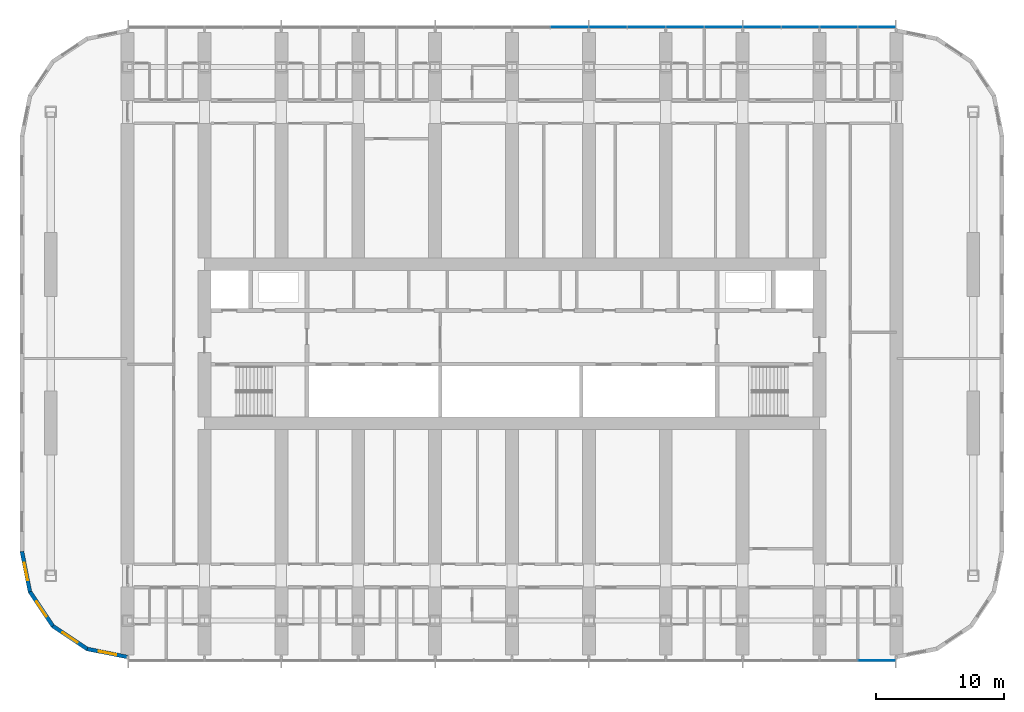
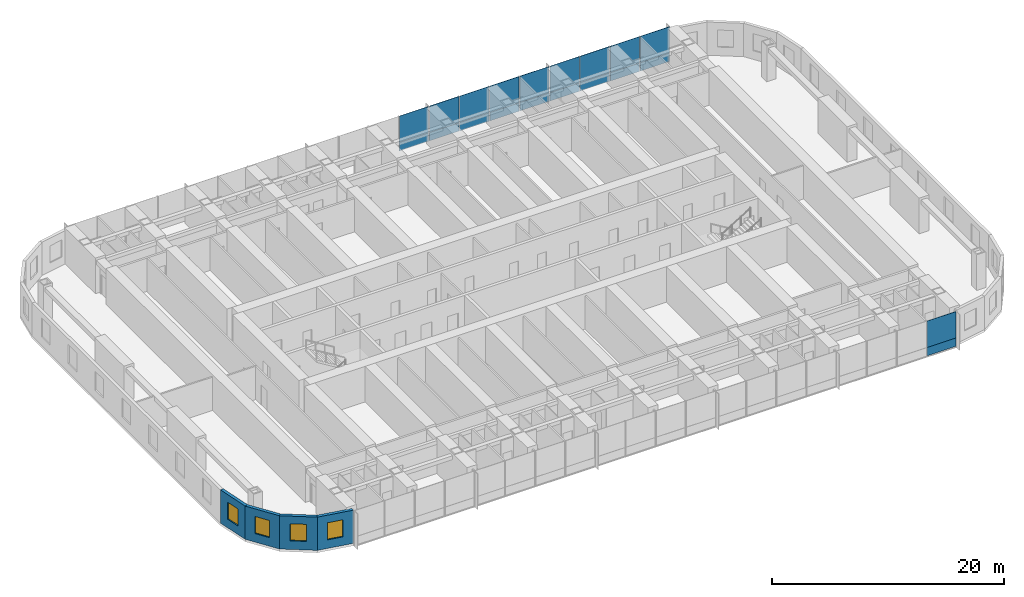
# One storey, part 9 of 23: 20 plates, 4 walls, 4 windows, 4 openings, 2 elements without a shape of their own.
"""IFC4 building model written with IfcOpenShell, lengths in metres."""

from ifc_helpers import new_model, si_unit, direction, frame, frame_2d, origin, origin_2d, place, context, subcontext, project, spatial, polyline, rectangle, outline, extrude, material, layer, layer_set, type_object, element, fill, aggregate, save


model = new_model("IFC4")

# Units and contexts
model_context = context("Model", 3, precision=1e-05, world=origin(), true_north=direction((0.0, 1.0)))
body_context = subcontext(model_context, "Body", "Model", "MODEL_VIEW")
ifc_project = project(units=[si_unit("LENGTHUNIT", "METRE"), si_unit("AREAUNIT", "SQUARE_METRE"), si_unit("VOLUMEUNIT", "CUBIC_METRE"), si_unit("PLANEANGLEUNIT", "RADIAN"), si_unit("MASSUNIT", "GRAM", prefix="KILO")], contexts=[model_context])

# Site, building, storey
site_placement = place(None, origin())
site = spatial("IfcSite", under=ifc_project, at=site_placement, CompositionType="ELEMENT")
building_placement = place(site_placement, origin())
building = spatial("IfcBuilding", under=site, at=building_placement, Name="Orbita Commons", CompositionType="ELEMENT")
storey_placement = place(building_placement, frame((0.0, 0.0, 46.449951171875)))
storey = spatial("IfcBuildingStorey", under=building, at=storey_placement, Name="L11", CompositionType="ELEMENT", Elevation=46.449951171875)

# Curtain wall, plate
ifc_material_1 = material(Name="Anodised aluminium frame, pale silver", Category="aluminium")
curtain_wall_type = type_object("IfcCurtainWallType", Name="Unitised curtain wall CW-T, vision and spandrel", PredefinedType="NOTDEFINED", material=ifc_material_1)
curtain_wall_1_placement = place(storey_placement, origin())
curtain_wall_1 = element("IfcCurtainWall", 1, at=curtain_wall_1_placement, inside=storey, type_object=curtain_wall_type, Name="Curtain wall south L11", PredefinedType="NOTDEFINED")
ifc_material_2 = material(Name="Anodised aluminium sheet on mineral wool", Category="aluminium")
ifc_layer_1 = layer(ifc_material_2, 0.050048828125)
ifc_layer_set_1 = layer_set([ifc_layer_1], Name="Anodised aluminium sheet on mineral wool")
plate_type_1 = type_object("IfcPlateType", Name="Spandrel panel, pale aluminium over insulation 50", PredefinedType="CURTAIN_PANEL", material=ifc_layer_set_1)
plate_1_placement = place(storey_placement, frame((70.47998046875, 7.2900390625, -0.14990234375), z_axis=(0.0, 0.0, 1.0), x_axis=(1.0, 0.0, 0.0)))
plate_1 = element("IfcPlate", 2, at=plate_1_placement, type_object=plate_type_1, Name="Panel 20.1 CW-L11-S", PredefinedType="CURTAIN_PANEL", context=body_context, shape_type="SweptSolid", body=[
    extrude(rectangle(XDim=2.8798828125, YDim=0.050048828125, at=origin_2d()), origin(), (0.0, 0.0, 1.0), 0.875),
])

# Curtain wall, plates
curtain_wall_2_placement = place(storey_placement, origin())
curtain_wall_2 = element("IfcCurtainWall", 3, at=curtain_wall_2_placement, inside=storey, type_object=curtain_wall_type, Name="Curtain wall north L11", PredefinedType="NOTDEFINED")
plate_2_placement = place(storey_placement, frame((70.47998046875, 56.7099609375, -0.14990234375), z_axis=(0.0, 0.0, 1.0), x_axis=(-1.0, 0.0, 0.0)))
plate_2 = element("IfcPlate", 4, at=plate_2_placement, type_object=plate_type_1, Name="Panel 1.1 CW-L11-N", PredefinedType="CURTAIN_PANEL", context=body_context, shape_type="SweptSolid", body=[
    extrude(rectangle(XDim=2.8798828125, YDim=0.050048828125, at=origin_2d()), origin(), (0.0, 0.0, 1.0), 0.875),
])
plate_3_placement = place(storey_placement, frame((67.5, 56.7099609375, -0.14990234375), z_axis=(0.0, 0.0, 1.0), x_axis=(-1.0, 0.0, 0.0)))
plate_3 = element("IfcPlate", 5, at=plate_3_placement, type_object=plate_type_1, Name="Panel 2.1 CW-L11-N", PredefinedType="CURTAIN_PANEL", context=body_context, shape_type="SweptSolid", body=[
    extrude(rectangle(XDim=2.919921875, YDim=0.050048828125, at=origin_2d()), origin(), (0.0, 0.0, 1.0), 0.875),
])
plate_4_placement = place(storey_placement, frame((64.5, 56.7099609375, -0.14990234375), z_axis=(0.0, 0.0, 1.0), x_axis=(-1.0, 0.0, 0.0)))
plate_4 = element("IfcPlate", 6, at=plate_4_placement, type_object=plate_type_1, Name="Panel 3.1 CW-L11-N", PredefinedType="CURTAIN_PANEL", context=body_context, shape_type="SweptSolid", body=[
    extrude(rectangle(XDim=2.919921875, YDim=0.050048828125, at=origin_2d()), origin(), (0.0, 0.0, 1.0), 0.875),
])
plate_5_placement = place(storey_placement, frame((61.5, 56.7099609375, -0.14990234375), z_axis=(0.0, 0.0, 1.0), x_axis=(-1.0, 0.0, 0.0)))
plate_5 = element("IfcPlate", 7, at=plate_5_placement, type_object=plate_type_1, Name="Panel 4.1 CW-L11-N", PredefinedType="CURTAIN_PANEL", context=body_context, shape_type="SweptSolid", body=[
    extrude(rectangle(XDim=2.919921875, YDim=0.050048828125, at=origin_2d()), origin(), (0.0, 0.0, 1.0), 0.875),
])
plate_6_placement = place(storey_placement, frame((58.5, 56.7099609375, -0.14990234375), z_axis=(0.0, 0.0, 1.0), x_axis=(-1.0, 0.0, 0.0)))
plate_6 = element("IfcPlate", 8, at=plate_6_placement, type_object=plate_type_1, Name="Panel 5.1 CW-L11-N", PredefinedType="CURTAIN_PANEL", context=body_context, shape_type="SweptSolid", body=[
    extrude(rectangle(XDim=2.919921875, YDim=0.050048828125, at=origin_2d()), origin(), (0.0, 0.0, 1.0), 0.875),
])
plate_7_placement = place(storey_placement, frame((55.5, 56.7099609375, -0.14990234375), z_axis=(0.0, 0.0, 1.0), x_axis=(-1.0, 0.0, 0.0)))
plate_7 = element("IfcPlate", 9, at=plate_7_placement, type_object=plate_type_1, Name="Panel 6.1 CW-L11-N", PredefinedType="CURTAIN_PANEL", context=body_context, shape_type="SweptSolid", body=[
    extrude(rectangle(XDim=2.919921875, YDim=0.050048828125, at=origin_2d()), origin(), (0.0, 0.0, 1.0), 0.875),
])
plate_8_placement = place(storey_placement, frame((52.5, 56.7099609375, -0.14990234375), z_axis=(0.0, 0.0, 1.0), x_axis=(-1.0, 0.0, 0.0)))
plate_8 = element("IfcPlate", 10, at=plate_8_placement, type_object=plate_type_1, Name="Panel 7.1 CW-L11-N", PredefinedType="CURTAIN_PANEL", context=body_context, shape_type="SweptSolid", body=[
    extrude(rectangle(XDim=2.919921875, YDim=0.050048828125, at=origin_2d()), origin(), (0.0, 0.0, 1.0), 0.875),
])
plate_9_placement = place(storey_placement, frame((49.5, 56.7099609375, -0.14990234375), z_axis=(0.0, 0.0, 1.0), x_axis=(-1.0, 0.0, 0.0)))
plate_9 = element("IfcPlate", 11, at=plate_9_placement, type_object=plate_type_1, Name="Panel 8.1 CW-L11-N", PredefinedType="CURTAIN_PANEL", context=body_context, shape_type="SweptSolid", body=[
    extrude(rectangle(XDim=2.919921875, YDim=0.050048828125, at=origin_2d()), origin(), (0.0, 0.0, 1.0), 0.875),
])
plate_10_placement = place(storey_placement, frame((46.5, 56.7099609375, -0.14990234375), z_axis=(0.0, 0.0, 1.0), x_axis=(-1.0, 0.0, 0.0)))
plate_10 = element("IfcPlate", 12, at=plate_10_placement, type_object=plate_type_1, Name="Panel 9.1 CW-L11-N", PredefinedType="CURTAIN_PANEL", context=body_context, shape_type="SweptSolid", body=[
    extrude(rectangle(XDim=2.919921875, YDim=0.050048828125, at=origin_2d()), origin(), (0.0, 0.0, 1.0), 0.875),
])

# Plate
ifc_material_3 = material(Name="Clear double glazing", Category="glass")
ifc_layer_2 = layer(ifc_material_3, 0.031982421875)
ifc_layer_set_2 = layer_set([ifc_layer_2], Name="Clear double glazing")
plate_type_2 = type_object("IfcPlateType", Name="Vision panel, clear double glazing 32", PredefinedType="CURTAIN_PANEL", material=ifc_layer_set_2)
plate_11_placement = place(storey_placement, frame((70.47998046875, 7.2900390625, 0.72509765625), z_axis=(0.0, 0.0, 1.0), x_axis=(1.0, 0.0, 0.0)))
plate_11 = element("IfcPlate", 13, at=plate_11_placement, type_object=plate_type_2, Name="Panel 20.2 CW-L11-S", PredefinedType="CURTAIN_PANEL", context=body_context, shape_type="SweptSolid", body=[
    extrude(rectangle(XDim=2.8798828125, YDim=0.031982421875, at=origin_2d()), origin(), (0.0, 0.0, 1.0), 2.77490234375),
])

aggregate(curtain_wall_1, [plate_1, plate_11])

plate_12_placement = place(storey_placement, frame((70.47998046875, 56.7099609375, 0.72509765625), z_axis=(0.0, 0.0, 1.0), x_axis=(-1.0, 0.0, 0.0)))
plate_12 = element("IfcPlate", 14, at=plate_12_placement, type_object=plate_type_2, Name="Panel 1.2 CW-L11-N", PredefinedType="CURTAIN_PANEL", context=body_context, shape_type="SweptSolid", body=[
    extrude(rectangle(XDim=2.8798828125, YDim=0.031982421875, at=origin_2d()), origin(), (0.0, 0.0, 1.0), 2.77490234375),
])

plate_13_placement = place(storey_placement, frame((67.5, 56.7099609375, 0.72509765625), z_axis=(0.0, 0.0, 1.0), x_axis=(-1.0, 0.0, 0.0)))
plate_13 = element("IfcPlate", 15, at=plate_13_placement, type_object=plate_type_2, Name="Panel 2.2 CW-L11-N", PredefinedType="CURTAIN_PANEL", context=body_context, shape_type="SweptSolid", body=[
    extrude(rectangle(XDim=2.919921875, YDim=0.031982421875, at=origin_2d()), origin(), (0.0, 0.0, 1.0), 2.77490234375),
])

plate_14_placement = place(storey_placement, frame((64.5, 56.7099609375, 0.72509765625), z_axis=(0.0, 0.0, 1.0), x_axis=(-1.0, 0.0, 0.0)))
plate_14 = element("IfcPlate", 16, at=plate_14_placement, type_object=plate_type_2, Name="Panel 3.2 CW-L11-N", PredefinedType="CURTAIN_PANEL", context=body_context, shape_type="SweptSolid", body=[
    extrude(rectangle(XDim=2.919921875, YDim=0.031982421875, at=origin_2d()), origin(), (0.0, 0.0, 1.0), 2.77490234375),
])

plate_15_placement = place(storey_placement, frame((61.5, 56.7099609375, 0.72509765625), z_axis=(0.0, 0.0, 1.0), x_axis=(-1.0, 0.0, 0.0)))
plate_15 = element("IfcPlate", 17, at=plate_15_placement, type_object=plate_type_2, Name="Panel 4.2 CW-L11-N", PredefinedType="CURTAIN_PANEL", context=body_context, shape_type="SweptSolid", body=[
    extrude(rectangle(XDim=2.919921875, YDim=0.031982421875, at=origin_2d()), origin(), (0.0, 0.0, 1.0), 2.77490234375),
])

plate_16_placement = place(storey_placement, frame((58.5, 56.7099609375, 0.72509765625), z_axis=(0.0, 0.0, 1.0), x_axis=(-1.0, 0.0, 0.0)))
plate_16 = element("IfcPlate", 18, at=plate_16_placement, type_object=plate_type_2, Name="Panel 5.2 CW-L11-N", PredefinedType="CURTAIN_PANEL", context=body_context, shape_type="SweptSolid", body=[
    extrude(rectangle(XDim=2.919921875, YDim=0.031982421875, at=origin_2d()), origin(), (0.0, 0.0, 1.0), 2.77490234375),
])

plate_17_placement = place(storey_placement, frame((55.5, 56.7099609375, 0.72509765625), z_axis=(0.0, 0.0, 1.0), x_axis=(-1.0, 0.0, 0.0)))
plate_17 = element("IfcPlate", 19, at=plate_17_placement, type_object=plate_type_2, Name="Panel 6.2 CW-L11-N", PredefinedType="CURTAIN_PANEL", context=body_context, shape_type="SweptSolid", body=[
    extrude(rectangle(XDim=2.919921875, YDim=0.031982421875, at=origin_2d()), origin(), (0.0, 0.0, 1.0), 2.77490234375),
])

plate_18_placement = place(storey_placement, frame((52.5, 56.7099609375, 0.72509765625), z_axis=(0.0, 0.0, 1.0), x_axis=(-1.0, 0.0, 0.0)))
plate_18 = element("IfcPlate", 20, at=plate_18_placement, type_object=plate_type_2, Name="Panel 7.2 CW-L11-N", PredefinedType="CURTAIN_PANEL", context=body_context, shape_type="SweptSolid", body=[
    extrude(rectangle(XDim=2.919921875, YDim=0.031982421875, at=origin_2d()), origin(), (0.0, 0.0, 1.0), 2.77490234375),
])

plate_19_placement = place(storey_placement, frame((49.5, 56.7099609375, 0.72509765625), z_axis=(0.0, 0.0, 1.0), x_axis=(-1.0, 0.0, 0.0)))
plate_19 = element("IfcPlate", 21, at=plate_19_placement, type_object=plate_type_2, Name="Panel 8.2 CW-L11-N", PredefinedType="CURTAIN_PANEL", context=body_context, shape_type="SweptSolid", body=[
    extrude(rectangle(XDim=2.919921875, YDim=0.031982421875, at=origin_2d()), origin(), (0.0, 0.0, 1.0), 2.77490234375),
])

plate_20_placement = place(storey_placement, frame((46.5, 56.7099609375, 0.72509765625), z_axis=(0.0, 0.0, 1.0), x_axis=(-1.0, 0.0, 0.0)))
plate_20 = element("IfcPlate", 22, at=plate_20_placement, type_object=plate_type_2, Name="Panel 9.2 CW-L11-N", PredefinedType="CURTAIN_PANEL", context=body_context, shape_type="SweptSolid", body=[
    extrude(rectangle(XDim=2.919921875, YDim=0.031982421875, at=origin_2d()), origin(), (0.0, 0.0, 1.0), 2.77490234375),
])

aggregate(curtain_wall_2, [plate_2, plate_12, plate_3, plate_13, plate_4, plate_14, plate_5, plate_15, plate_6, plate_16, plate_7, plate_17, plate_8, plate_18, plate_9, plate_19, plate_10, plate_20])

# Wall, opening, window
ifc_material_4 = material(Name="Precast concrete C40/50, white board-marked finish", Category="concrete")
ifc_layer_3 = layer(ifc_material_4, 0.300048828125)
ifc_layer_set_3 = layer_set([ifc_layer_3], Name="Precast concrete C40/50, white board-marked finish")
wall_type = type_object("IfcWallType", Name="Precast concrete end shield 300", PredefinedType="SOLIDWALL", material=ifc_layer_set_3)
wall_1_placement = place(storey_placement, frame((3.75, 15.800048828125, 0.0), z_axis=(0.0, 0.0, 1.0), x_axis=(0.195065901187, -0.980790137692, 0.0)))
wall_1 = element("IfcWall", 23, at=wall_1_placement, inside=storey, type_object=wall_type, Name="End shield SW chord 1 L11", PredefinedType="SOLIDWALL", context=body_context, shape_type="SweptSolid", body=[
    extrude(outline(polyline([(-0.014892578125, -0.14990234375), (3.248779296875, -0.14990234375), (3.189208984375, 0.14990234375), (0.014892578125, 0.14990234375), (-0.014892578125, -0.14990234375)])), origin(), (0.0, 0.0, 1.0), 3.5),
])
opening_1_placement = place(wall_1_placement, frame((0.909423828125, 0.0, 0.89990234375)))
opening_1 = element("IfcOpeningElement", 24, at=opening_1_placement, cuts=wall_1, Name="Opening W02", PredefinedType="OPENING", context=body_context, shape_type="SweptSolid", body=[
    extrude(rectangle(XDim=1.39990234375, YDim=1.800048828125, at=frame_2d((0.699951171875, 0.89990234375))), frame((0.0, 0.159912109375, 0.0), z_axis=(0.0, -1.0, 0.0), x_axis=(1.0, 0.0, 0.0)), (0.0, 0.0, 1.0), 0.320068359375),
])
ifc_material_5 = material(Name="Aluminium frame, clear double glazing", Category="aluminium")
window_type = type_object("IfcWindowType", Name="Deep-set window 1400x1800", PartitioningType="SINGLE_PANEL", PredefinedType="WINDOW", material=ifc_material_5)
window_1_placement = place(opening_1_placement, origin())
window_1 = element("IfcWindow", 25, at=window_1_placement, inside=storey, type_object=window_type, Name="Window L11-SW0", OverallHeight=1.800048828125, OverallWidth=1.39990234375, PartitioningType="SINGLE_PANEL", PredefinedType="WINDOW", context=body_context, shape_type="SweptSolid", body=[
    extrude(rectangle(XDim=1.39990234375, YDim=1.800048828125, at=frame_2d((0.699951171875, 0.89990234375))), frame((0.0, 0.030029296875, 0.0), z_axis=(0.0, -1.0, 0.0), x_axis=(1.0, 0.0, 0.0)), (0.0, 0.0, 1.0), 0.06005859375),
])
fill(opening_1, window_1)

wall_2_placement = place(storey_placement, frame((4.3779296875, 12.642822265625, 0.0), z_axis=(0.0, 0.0, 1.0), x_axis=(0.555609954424, -0.831443069936, 0.0)))
wall_2 = element("IfcWall", 26, at=wall_2_placement, inside=storey, type_object=wall_type, Name="End shield SW chord 2 L11", PredefinedType="SOLIDWALL", context=body_context, shape_type="SweptSolid", body=[
    extrude(outline(polyline([(-0.02978515625, -0.14990234375), (3.2490234375, -0.14990234375), (3.189453125, 0.14990234375), (0.02978515625, 0.14990234375), (-0.02978515625, -0.14990234375)])), origin(), (0.0, 0.0, 1.0), 3.5),
])
opening_2_placement = place(wall_2_placement, frame((0.909423828125, 0.0, 0.89990234375)))
opening_2 = element("IfcOpeningElement", 27, at=opening_2_placement, cuts=wall_2, Name="Opening W02", PredefinedType="OPENING", context=body_context, shape_type="SweptSolid", body=[
    extrude(rectangle(XDim=1.39990234375, YDim=1.800048828125, at=frame_2d((0.699951171875, 0.89990234375))), frame((0.0, 0.159912109375, 0.0), z_axis=(0.0, -1.0, 0.0), x_axis=(1.0, 0.0, 0.0)), (0.0, 0.0, 1.0), 0.320068359375),
])
window_2_placement = place(opening_2_placement, origin())
window_2 = element("IfcWindow", 28, at=window_2_placement, inside=storey, type_object=window_type, Name="Window L11-SW1", OverallHeight=1.800048828125, OverallWidth=1.39990234375, PartitioningType="SINGLE_PANEL", PredefinedType="WINDOW", context=body_context, shape_type="SweptSolid", body=[
    extrude(rectangle(XDim=1.39990234375, YDim=1.800048828125, at=frame_2d((0.699951171875, 0.89990234375))), frame((0.0, 0.030029296875, 0.0), z_axis=(0.0, -1.0, 0.0), x_axis=(1.0, 0.0, 0.0)), (0.0, 0.0, 1.0), 0.06005859375),
])
fill(opening_2, window_2)

wall_3_placement = place(storey_placement, frame((6.16650390625, 9.96630859375, 0.0), z_axis=(0.0, 0.0, 1.0), x_axis=(0.831478105043, -0.555557522525, 0.0)))
wall_3 = element("IfcWall", 29, at=wall_3_placement, inside=storey, type_object=wall_type, Name="End shield SW chord 3 L11", PredefinedType="SOLIDWALL", context=body_context, shape_type="SweptSolid", body=[
    extrude(outline(polyline([(-0.02978515625, -0.14990234375), (3.248779296875, -0.14990234375), (3.189208984375, 0.14990234375), (0.02978515625, 0.14990234375), (-0.02978515625, -0.14990234375)])), origin(), (0.0, 0.0, 1.0), 3.5),
])
opening_3_placement = place(wall_3_placement, frame((0.909423828125, 0.0, 0.89990234375)))
opening_3 = element("IfcOpeningElement", 30, at=opening_3_placement, cuts=wall_3, Name="Opening W02", PredefinedType="OPENING", context=body_context, shape_type="SweptSolid", body=[
    extrude(rectangle(XDim=1.39990234375, YDim=1.800048828125, at=frame_2d((0.699951171875, 0.89990234375))), frame((0.0, 0.159912109375, 0.0), z_axis=(0.0, -1.0, 0.0), x_axis=(1.0, 0.0, 0.0)), (0.0, 0.0, 1.0), 0.320068359375),
])
window_3_placement = place(opening_3_placement, origin())
window_3 = element("IfcWindow", 31, at=window_3_placement, inside=storey, type_object=window_type, Name="Window L11-SW2", OverallHeight=1.800048828125, OverallWidth=1.39990234375, PartitioningType="SINGLE_PANEL", PredefinedType="WINDOW", context=body_context, shape_type="SweptSolid", body=[
    extrude(rectangle(XDim=1.39990234375, YDim=1.800048828125, at=frame_2d((0.699951171875, 0.89990234375))), frame((0.0, 0.030029296875, 0.0), z_axis=(0.0, -1.0, 0.0), x_axis=(1.0, 0.0, 0.0)), (0.0, 0.0, 1.0), 0.06005859375),
])
fill(opening_3, window_3)

wall_4_placement = place(storey_placement, frame((8.843017578125, 8.177978515625, 0.0), z_axis=(0.0, 0.0, 1.0), x_axis=(0.980787251524, -0.195080412259, 0.0)))
wall_4 = element("IfcWall", 32, at=wall_4_placement, inside=storey, type_object=wall_type, Name="End shield SW chord 4 L11", PredefinedType="SOLIDWALL", context=body_context, shape_type="SweptSolid", body=[
    extrude(outline(polyline([(-0.02978515625, -0.14990234375), (3.24853515625, -0.14990234375), (3.18896484375, 0.14990234375), (0.02978515625, 0.14990234375), (-0.02978515625, -0.14990234375)])), origin(), (0.0, 0.0, 1.0), 3.5),
])
opening_4_placement = place(wall_4_placement, frame((0.909423828125, 0.0, 0.89990234375)))
opening_4 = element("IfcOpeningElement", 33, at=opening_4_placement, cuts=wall_4, Name="Opening W02", PredefinedType="OPENING", context=body_context, shape_type="SweptSolid", body=[
    extrude(rectangle(XDim=1.39990234375, YDim=1.800048828125, at=frame_2d((0.699951171875, 0.89990234375))), frame((0.0, 0.159912109375, 0.0), z_axis=(0.0, -1.0, 0.0), x_axis=(1.0, 0.0, 0.0)), (0.0, 0.0, 1.0), 0.320068359375),
])
window_4_placement = place(opening_4_placement, origin())
window_4 = element("IfcWindow", 34, at=window_4_placement, inside=storey, type_object=window_type, Name="Window L11-SW3", OverallHeight=1.800048828125, OverallWidth=1.39990234375, PartitioningType="SINGLE_PANEL", PredefinedType="WINDOW", context=body_context, shape_type="SweptSolid", body=[
    extrude(rectangle(XDim=1.39990234375, YDim=1.800048828125, at=frame_2d((0.699951171875, 0.89990234375))), frame((0.0, 0.030029296875, 0.0), z_axis=(0.0, -1.0, 0.0), x_axis=(1.0, 0.0, 0.0)), (0.0, 0.0, 1.0), 0.06005859375),
])
fill(opening_4, window_4)

save(model, "model.ifc")
